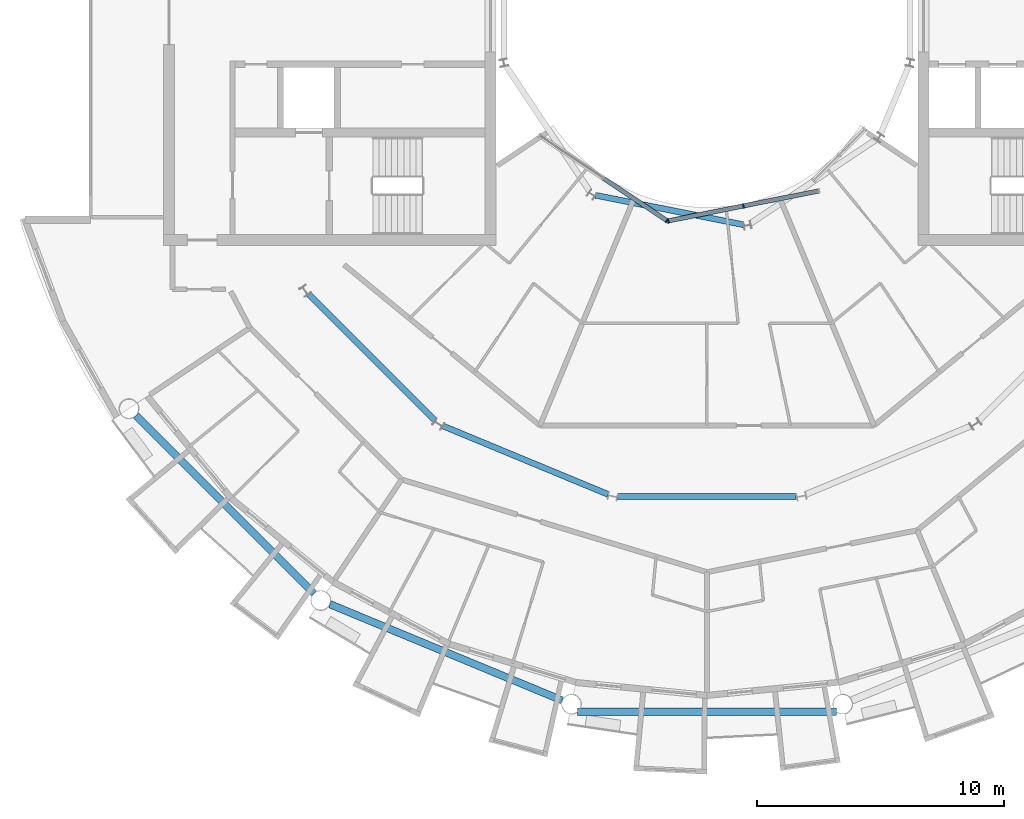
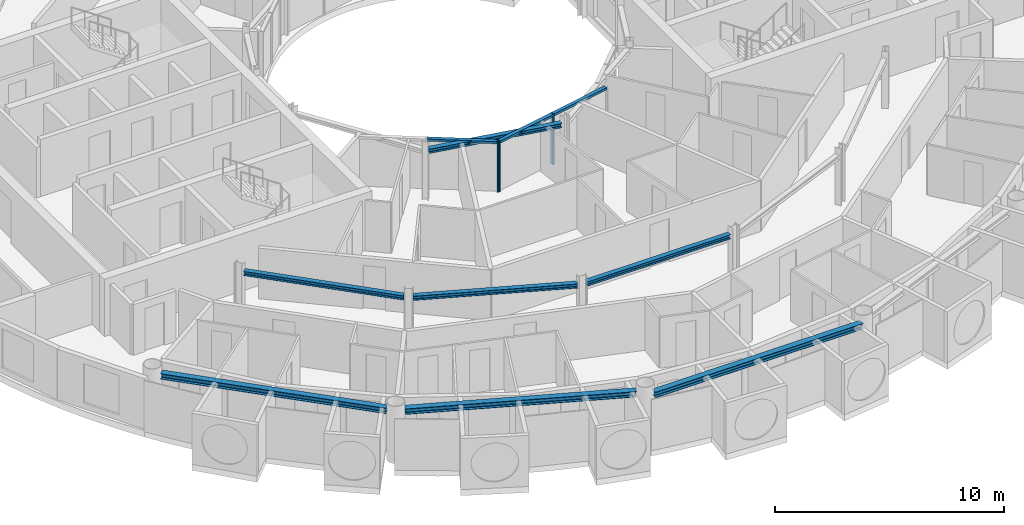
# One storey, part 6 of 28: 7 beams, 6 members, 2 elements without a shape of their own.
"""IFC4 building model written with IfcOpenShell, lengths in metres."""

from ifc_helpers import new_model, si_unit, direction, frame, origin, origin_2d, place, context, subcontext, project, spatial, rectangle, i_section, extrude, material, layer, layer_set, material_profile, profile_set, type_object, element, aggregate, save


model = new_model("IFC4")

# Units and contexts
model_context = context("Model", 3, precision=1e-05, world=origin(), true_north=direction((0.0, 1.0)))
body_context = subcontext(model_context, "Body", "Model", "MODEL_VIEW")
ifc_project = project(units=[si_unit("LENGTHUNIT", "METRE"), si_unit("AREAUNIT", "SQUARE_METRE"), si_unit("VOLUMEUNIT", "CUBIC_METRE"), si_unit("PLANEANGLEUNIT", "RADIAN"), si_unit("MASSUNIT", "GRAM", prefix="KILO")], contexts=[model_context])

# Site, building, storey
site_placement = place(None, origin())
site = spatial("IfcSite", under=ifc_project, at=site_placement, CompositionType="ELEMENT")
building_placement = place(site_placement, origin())
building = spatial("IfcBuilding", under=site, at=building_placement, Name="Maasbend Ring Residences", CompositionType="ELEMENT")
storey_placement = place(building_placement, frame((0.0, 0.0, 196.300048828125)))
storey = spatial("IfcBuildingStorey", under=building, at=storey_placement, Name="L56", CompositionType="ELEMENT", Elevation=196.300048828125)

# Curtain wall, member
ifc_material_1 = material(Name="Aluminium and clear glass", Category="aluminium")
ifc_layer = layer(ifc_material_1, 0.179931640625)
ifc_layer_set = layer_set([ifc_layer], Name="CW-W")
curtain_wall_type = type_object("IfcCurtainWallType", Name="CW-W", PredefinedType="NOTDEFINED", material=ifc_layer_set)
curtain_wall_1_placement = place(storey_placement, origin())
curtain_wall_1 = element("IfcCurtainWall", 1, at=curtain_wall_1_placement, inside=storey, type_object=curtain_wall_type, Name="Well curtain wall S1", PredefinedType="NOTDEFINED")
ifc_material_2 = material(Name="Aluminium 6063-T6", Category="aluminium")
ifc_material_profile_1 = material_profile(ifc_material_2, rectangle(XDim=0.179931640625, YDim=0.06005859375, at=origin_2d()), Name="AL 180x60")
ifc_profile_set_1 = profile_set([ifc_material_profile_1], Name="Aluminium 6063-T6")
member_type_1 = type_object("IfcMemberType", Name="CWM-W", PredefinedType="MULLION", material=ifc_profile_set_1)
member_1_placement = place(storey_placement, frame((-1.627685546875, -8.040771484375, 0.0), z_axis=(0.0, 0.0, 1.0), x_axis=(0.55557023302, 0.831469612303, 0.0)))
member_1 = element("IfcMember", 2, at=member_1_placement, type_object=member_type_1, Name="Mullion well face", PredefinedType="MULLION", context=body_context, shape_type="SweptSolid", body=[
    extrude(rectangle(XDim=0.179931640625, YDim=0.06005859375, at=origin_2d()), origin(), (0.0, 0.0, 1.0), 2.699951171875),
])

# Curtain wall, members
curtain_wall_2_placement = place(storey_placement, origin())
curtain_wall_2 = element("IfcCurtainWall", 3, at=curtain_wall_2_placement, inside=storey, type_object=curtain_wall_type, Name="Well curtain wall S2", PredefinedType="NOTDEFINED")
member_2_placement = place(storey_placement, frame((-1.5732421875, -8.0517578125, 0.0), z_axis=(0.0, 0.0, 1.0), x_axis=(-0.195090322016, 0.980785280403, 0.0)))
member_2 = element("IfcMember", 4, at=member_2_placement, type_object=member_type_1, Name="Mullion well face", PredefinedType="MULLION", context=body_context, shape_type="SweptSolid", body=[
    extrude(rectangle(XDim=0.179931640625, YDim=0.06005859375, at=origin_2d()), origin(), (0.0, 0.0, 1.0), 2.699951171875),
])
member_3_placement = place(storey_placement, frame((1.480712890625, -7.444091796875, 0.0), z_axis=(0.0, 0.0, 1.0), x_axis=(-0.195090322016, 0.980785280403, 0.0)))
member_3 = element("IfcMember", 5, at=member_3_placement, type_object=member_type_1, Name="Mullion well face", PredefinedType="MULLION", context=body_context, shape_type="SweptSolid", body=[
    extrude(rectangle(XDim=0.179931640625, YDim=0.06005859375, at=origin_2d()), origin(), (0.0, 0.0, 1.0), 2.699951171875),
])

# Member
ifc_material_3 = material(Name="Aluminium 6063-T6", Category="aluminium")
ifc_material_profile_2 = material_profile(ifc_material_3, rectangle(XDim=0.179931640625, YDim=0.1201171875, at=origin_2d()), Name="AL 180x120")
ifc_profile_set_2 = profile_set([ifc_material_profile_2], Name="Aluminium 6063-T6")
member_type_2 = type_object("IfcMemberType", Name="CWT-W", PredefinedType="USERDEFINED", material=ifc_profile_set_2)
member_4_placement = place(storey_placement, frame((-4.19189453125, -6.32763671875, 2.639892578125), z_axis=(0.831496422459, -0.555530106689, 0.0), x_axis=(0.555530106689, 0.831496422459, 0.0)))
member_4 = element("IfcMember", 6, at=member_4_placement, type_object=member_type_2, Name="Transom well face", ObjectType="TRANSOM", PredefinedType="USERDEFINED", context=body_context, shape_type="SweptSolid", body=[
    extrude(rectangle(XDim=0.179931640625, YDim=0.1201171875, at=origin_2d()), origin(), (0.0, 0.0, 1.0), 3.053955078125),
])

aggregate(curtain_wall_1, [member_1, member_4])

member_5_placement = place(storey_placement, frame((-1.5439453125, -8.0458984375, 2.639892578125), z_axis=(0.980776956105, 0.195132166424, 0.0), x_axis=(-0.195132166424, 0.980776956105, 0.0)))
member_5 = element("IfcMember", 7, at=member_5_placement, type_object=member_type_2, Name="Transom well face", ObjectType="TRANSOM", PredefinedType="USERDEFINED", context=body_context, shape_type="SweptSolid", body=[
    extrude(rectangle(XDim=0.179931640625, YDim=0.1201171875, at=origin_2d()), origin(), (0.0, 0.0, 1.0), 3.053955078125),
])

member_6_placement = place(storey_placement, frame((1.51025390625, -7.438232421875, 2.639892578125), z_axis=(0.980789210404, 0.19507056353, 0.0), x_axis=(-0.19507056353, 0.980789210404, 0.0)))
member_6 = element("IfcMember", 8, at=member_6_placement, type_object=member_type_2, Name="Transom well face", ObjectType="TRANSOM", PredefinedType="USERDEFINED", context=body_context, shape_type="SweptSolid", body=[
    extrude(rectangle(XDim=0.179931640625, YDim=0.1201171875, at=origin_2d()), origin(), (0.0, 0.0, 1.0), 3.0537109375),
])

aggregate(curtain_wall_2, [member_2, member_3, member_5, member_6])

# Beams
ifc_material_4 = material(Name="Steel S355J2", Category="steel")
ifc_material_profile_3 = material_profile(ifc_material_4, i_section(OverallWidth=0.239990234375, OverallDepth=0.22998046875, WebThickness=0.007568359375, FlangeThickness=0.011962890625, FilletRadius=0.02099609375, at=origin_2d()), Name="HEA 240")
ifc_profile_set_3 = profile_set([ifc_material_profile_3], Name="Steel S355J2")
beam_type_1 = type_object("IfcBeamType", Name="Corridor ring beam HEA 240", PredefinedType="BEAM", material=ifc_profile_set_3)
beam_1_placement = place(storey_placement, frame((-16.152587890625, -11.033447265625, 2.5849609375), z_axis=(0.707106781187, -0.707106781187, 0.0), x_axis=(0.707106781187, 0.707106781187, 0.0)))
element("IfcBeam", 9, at=beam_1_placement, inside=storey, type_object=beam_type_1, Name="Corridor ring beam", PredefinedType="BEAM", context=body_context, shape_type="SweptSolid", body=[
    extrude(i_section(OverallWidth=0.239990234375, OverallDepth=0.22998046875, WebThickness=0.007568359375, FlangeThickness=0.011962890625, FilletRadius=0.02099609375, at=origin_2d()), origin(), (0.0, 0.0, 1.0), 7.239501953125),
])
for number, where, z_axis, x_axis, name in (
    (10, (-10.70068359375, -16.374755859375, 2.5849609375), (0.923865162022, -0.382718123952, 0.0), (0.382718123952, 0.923865162022, 0.0), "Corridor ring beam"),
    (11, (-3.619873046875, -19.223388671875, 2.5849609375), (1.0, 0.0, 0.0), (0.0, 1.0, 0.0), "Corridor ring beam"),
):
    element("IfcBeam", number, at=place(storey_placement, frame(where, z_axis=z_axis, x_axis=x_axis)), inside=storey, type_object=beam_type_1, Name=name, PredefinedType="BEAM", context=body_context, shape_type="SweptSolid", body=[
        extrude(i_section(OverallWidth=0.239990234375, OverallDepth=0.22998046875, WebThickness=0.007568359375, FlangeThickness=0.011962890625, FilletRadius=0.02099609375, at=origin_2d()), origin(), (0.0, 0.0, 1.0), 7.23974609375),
    ])
ifc_material_5 = material(Name="Steel S355J2", Category="steel")
ifc_material_profile_4 = material_profile(ifc_material_5, i_section(OverallWidth=0.300048828125, OverallDepth=0.300048828125, WebThickness=0.010986328125, FlangeThickness=0.01904296875, FilletRadius=0.027099609375, at=origin_2d()), Name="HEB 300")
ifc_profile_set_4 = profile_set([ifc_material_profile_4], Name="Steel S355J2")
beam_type_2 = type_object("IfcBeamType", Name="Spandrel ring beam HEB 300", PredefinedType="SPANDREL", material=ifc_profile_set_4)
for number, where, z_axis, x_axis, name in (
    (12, (-23.159912109375, -15.95458984375, 2.550048828125), (0.707106781187, -0.707106781187, 0.0), (0.707106781187, 0.707106781187, 0.0), "Spandrel ring beam"),
    (13, (-15.29150390625, -23.60302734375, 2.550048828125), (0.923883676188, -0.382673428492, 0.0), (0.382673428492, 0.923883676188, 0.0), "Spandrel ring beam"),
):
    element("IfcBeam", number, at=place(storey_placement, frame(where, z_axis=z_axis, x_axis=x_axis)), inside=storey, type_object=beam_type_2, Name=name, PredefinedType="SPANDREL", context=body_context, shape_type="SweptSolid", body=[
        extrude(i_section(OverallWidth=0.300048828125, OverallDepth=0.300048828125, WebThickness=0.010986328125, FlangeThickness=0.01904296875, FilletRadius=0.027099609375, at=origin_2d()), origin(), (0.0, 0.0, 1.0), 10.18994140625),
    ])
beam_2_placement = place(storey_placement, frame((-5.2451171875, -27.9580078125, 2.550048828125), z_axis=(1.0, 0.0, 0.0), x_axis=(0.0, 1.0, 0.0)))
element("IfcBeam", 14, at=beam_2_placement, inside=storey, type_object=beam_type_2, Name="Spandrel ring beam", PredefinedType="SPANDREL", context=body_context, shape_type="SweptSolid", body=[
    extrude(i_section(OverallWidth=0.300048828125, OverallDepth=0.300048828125, WebThickness=0.010986328125, FlangeThickness=0.01904296875, FilletRadius=0.027099609375, at=origin_2d()), origin(), (0.0, 0.0, 1.0), 10.490234375),
])
ifc_material_6 = material(Name="Steel S355J2", Category="steel")
ifc_material_profile_5 = material_profile(ifc_material_6, i_section(OverallWidth=0.239990234375, OverallDepth=0.22998046875, WebThickness=0.007568359375, FlangeThickness=0.011962890625, FilletRadius=0.02099609375, at=origin_2d()), Name="HEA 240")
ifc_profile_set_5 = profile_set([ifc_material_profile_5], Name="Steel S355J2")
beam_type_3 = type_object("IfcBeamType", Name="Well edge beam HEA 240", PredefinedType="BEAM", material=ifc_profile_set_5)
beam_3_placement = place(storey_placement, frame((-4.512939453125, -7.014892578125, 2.5849609375), z_axis=(0.980782836869, -0.195102606089, 0.0), x_axis=(0.195102606089, 0.980782836869, 0.0)))
element("IfcBeam", 15, at=beam_3_placement, inside=storey, type_object=beam_type_3, Name="Well edge beam", PredefinedType="BEAM", context=body_context, shape_type="SweptSolid", body=[
    extrude(i_section(OverallWidth=0.239990234375, OverallDepth=0.22998046875, WebThickness=0.007568359375, FlangeThickness=0.011962890625, FilletRadius=0.02099609375, at=origin_2d()), origin(), (0.0, 0.0, 1.0), 6.115234375),
])

save(model, "model.ifc")
